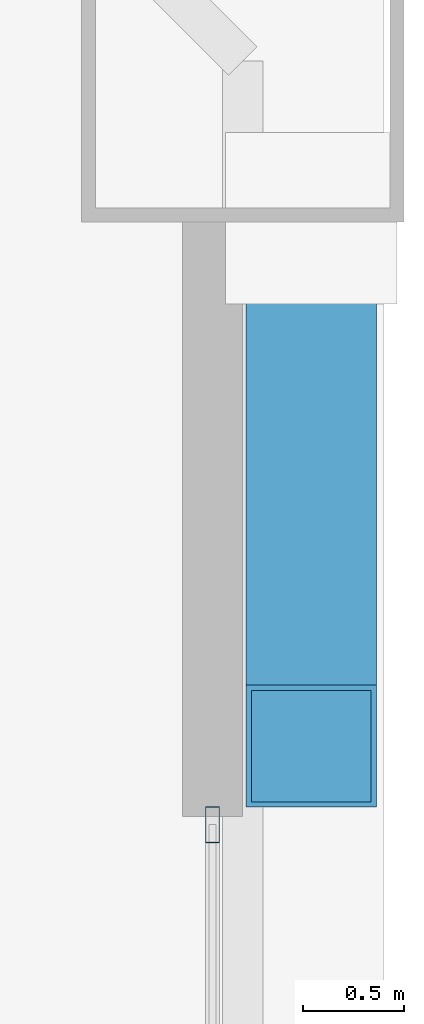
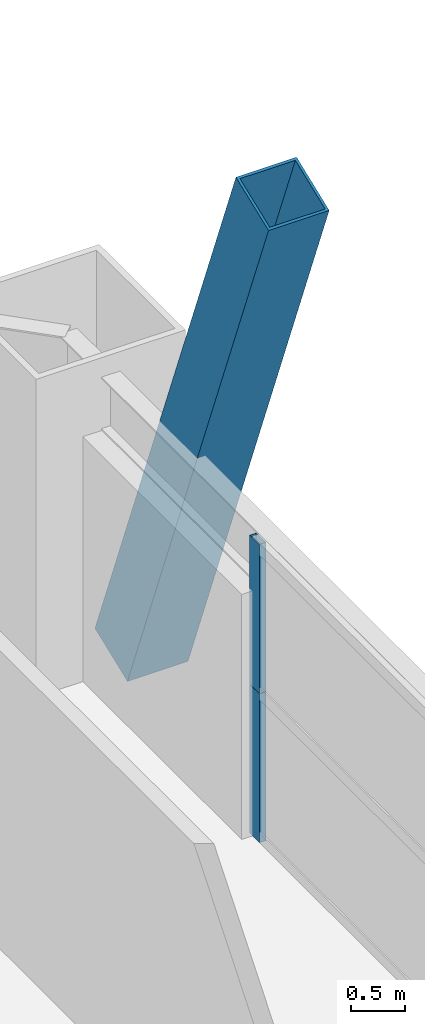
# One storey, part 33 of 42: 3 members, 1 element without a shape of its own.
"""IFC4 building model written with IfcOpenShell, lengths in metres."""

from ifc_helpers import new_model, si_unit, direction, frame, origin, origin_2d, place, context, subcontext, project, spatial, hollow_rectangle, extrude, source, transform, mapped, material, layer, layer_set, material_profile, profile_set, type_object, element, aggregate, save


model = new_model("IFC4")

# Units and contexts
model_context = context("Model", 3, precision=1e-05, world=origin(), true_north=direction((0.0, 1.0)))
body_context = subcontext(model_context, "Body", "Model", "MODEL_VIEW")
ifc_project = project(units=[si_unit("LENGTHUNIT", "METRE"), si_unit("AREAUNIT", "SQUARE_METRE"), si_unit("VOLUMEUNIT", "CUBIC_METRE"), si_unit("PLANEANGLEUNIT", "RADIAN"), si_unit("MASSUNIT", "GRAM", prefix="KILO"), si_unit("THERMODYNAMICTEMPERATUREUNIT", "KELVIN"), si_unit("POWERUNIT", "WATT")], contexts=[model_context])

# Site, building, storey
site_placement = place(None, origin())
site = spatial("IfcSite", under=ifc_project, at=site_placement, CompositionType="ELEMENT")
building_placement = place(site_placement, origin())
building = spatial("IfcBuilding", under=site, at=building_placement, Name="Yuzanri Waterfront Tower", CompositionType="ELEMENT")
storey_placement = place(building_placement, frame((0.0, 0.0, 145.199951171875)))
storey = spatial("IfcBuildingStorey", under=building, at=storey_placement, Name="L38", CompositionType="ELEMENT", Elevation=145.199951171875)

# Member
ifc_material_1 = material(Name="Steel Q420GJC", Category="steel")
ifc_material_profile_1 = material_profile(ifc_material_1, hollow_rectangle(XDim=0.64990234375, YDim=0.64990234375, WallThickness=0.028076171875, at=origin_2d()), Name="RHS 650x650x28")
ifc_profile_set_1 = profile_set([ifc_material_profile_1], Name="Steel Q420GJC")
member_type_1 = type_object("IfcMemberType", Name="Mega Brace Lower Q420GJC RHS 650x650x28", PredefinedType="BRACE", material=ifc_profile_set_1)
shared_shape_1 = source(origin(), body_context, "Body", "SweptSolid", [
    extrude(hollow_rectangle(XDim=0.64990234375, YDim=0.64990234375, WallThickness=0.028076171875, at=origin_2d()), origin(), (0.0, 0.0, 1.0), 7.1943359375),
])
member_1_placement = place(storey_placement, frame((60.93994140625, 45.02001953125, 0.179931640625), z_axis=(0.0, -0.364194614794, 0.931322866977), x_axis=(1.0, 0.0, 0.0)))
element("IfcMember", 1, at=member_1_placement, inside=storey, type_object=member_type_1, Name="L38-L39 Perimeter Mega-Brace E-R", PredefinedType="BRACE", context=body_context, shape_type="MappedRepresentation", body=[
    mapped(shared_shape_1, transform((0.0, 0.0, 0.0), scale=1.0)),
])

# Curtain wall, members
ifc_material_2 = material(Name="Anodized Architectural Bronze", Category="metal")
ifc_layer = layer(ifc_material_2, 0.159912109375)
ifc_layer_set = layer_set([ifc_layer], Name="Anodized Architectural Bronze")
curtain_wall_type = type_object("IfcCurtainWallType", Name="Anodized Bronze Hotel Upper-Tier Solar-Control Unitized Curtain Wall 7800", PredefinedType="NOTDEFINED", material=ifc_layer_set)
curtain_wall_placement = place(storey_placement, origin())
curtain_wall = element("IfcCurtainWall", 2, at=curtain_wall_placement, inside=storey, type_object=curtain_wall_type, Name="L38 Curtain Wall CW-L38-ER", PredefinedType="NOTDEFINED")
ifc_material_3 = material(Name="Anodized Architectural Bronze", Category="metal")
ifc_material_profile_2 = material_profile(ifc_material_3, hollow_rectangle(XDim=0.070068359375, YDim=0.179931640625, WallThickness=0.00390625, at=origin_2d()), Name="CWM 70x180")
ifc_profile_set_2 = profile_set([ifc_material_profile_2], Name="Anodized Architectural Bronze")
member_type_2 = type_object("IfcMemberType", Name="Anodized Bronze Standard Curtain-Wall Mullion 70x180", PredefinedType="MULLION", material=ifc_profile_set_2)
shared_shape_2 = source(origin(), body_context, "Body", "SweptSolid", [
    extrude(hollow_rectangle(XDim=0.070068359375, YDim=0.179931640625, WallThickness=0.00390625, at=origin_2d()), origin(), (0.0, 0.0, 1.0), 1.68798828125),
])
member_2_placement = place(storey_placement, frame((60.449951171875, 42.010009765625, 0.0), z_axis=(0.0, 0.0, 1.0), x_axis=(1.0, 0.0, 0.0)))
member_2 = element("IfcMember", 3, at=member_2_placement, type_object=member_type_2, Name="CW-L38-ER Lower Mullion 02", PredefinedType="MULLION", context=body_context, shape_type="MappedRepresentation", body=[
    mapped(shared_shape_2, transform((0.0, 0.0, 0.0), scale=1.0)),
])
member_3_placement = place(storey_placement, frame((60.449951171875, 42.010009765625, 1.692138671875), z_axis=(0.0, 0.0, 1.0), x_axis=(1.0, 0.0, 0.0)))
member_3 = element("IfcMember", 4, at=member_3_placement, type_object=member_type_2, Name="CW-L38-ER Upper Mullion 02", PredefinedType="MULLION", context=body_context, shape_type="MappedRepresentation", body=[
    mapped(shared_shape_2, transform((0.0, 0.0, 0.0), scale=1.0)),
])
aggregate(curtain_wall, [member_2, member_3])

save(model, "model.ifc")
